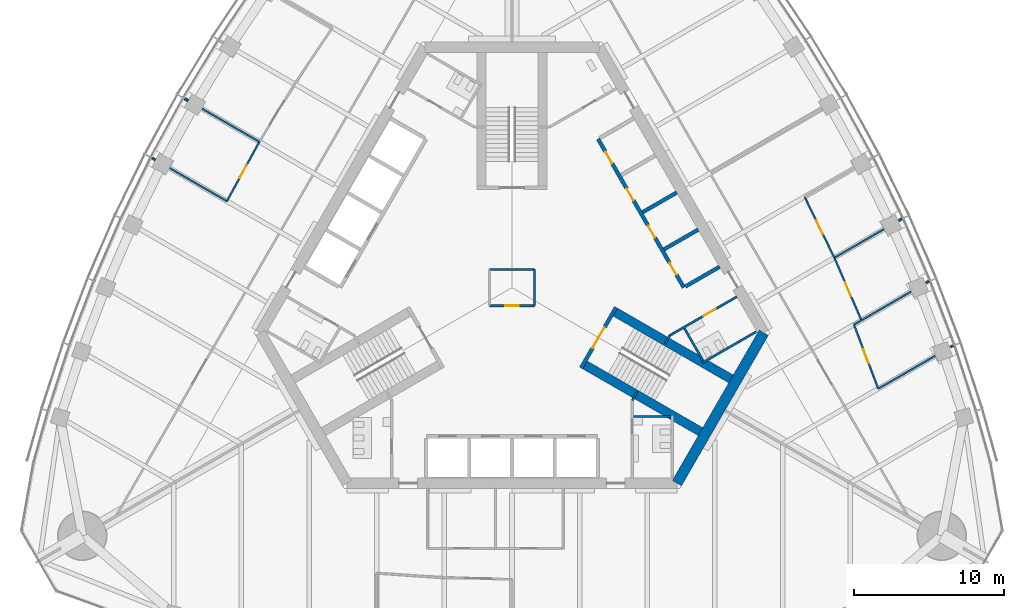
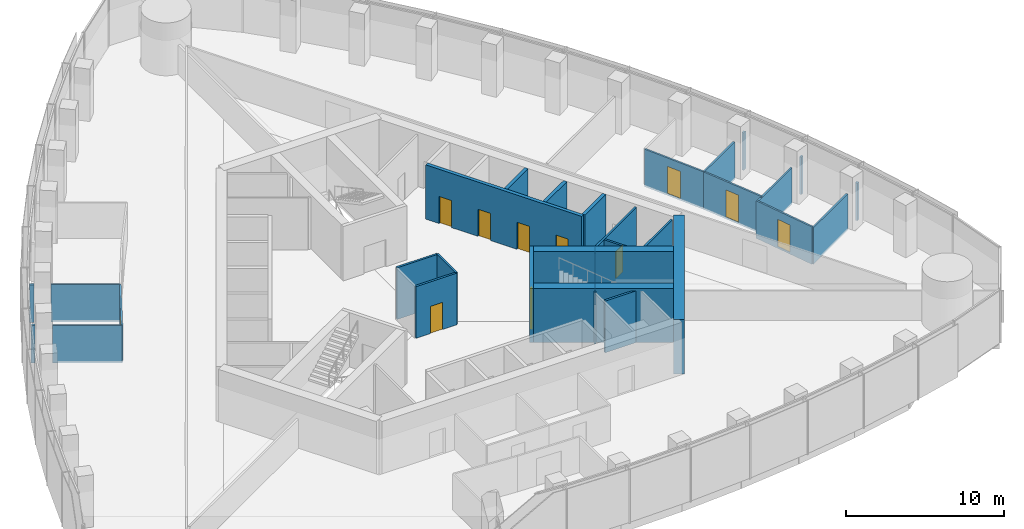
# One storey, part 12 of 19: 31 walls, 11 doors, 11 openings.
"""IFC4 building model written with IfcOpenShell, lengths in metres."""

import ifcopenshell
import ifcopenshell.guid

model = None  # the IFC model being written
_history = None  # IfcOwnerHistory: only IFC2X3 demands one
_inside = {}  # id of a spatial element -> (the spatial element, [elements in it])
_under = {}  # id of a project, library or spatial element -> (it, [spatial elements below it])
_declared = {}  # id of a project -> (the project, [libraries it declares])
_typed = {}  # id of a type object -> (the type object, [elements of that type])
_made_of = {}  # id of a material, layer set ... -> (it, [elements and type objects made of it])


def new_model(schema):
    """Start an empty IFC model of exactly this schema.

    Asked for "IFC4X3", IfcOpenShell would pick the latest addendum, in which some entities
    have other attributes; the version numbers below select the first issue.
    IFC2X3 requires an IfcOwnerHistory on every rooted entity: one is made here for all.
    """
    global model, _history
    if schema == "IFC4X3":
        model = ifcopenshell.file(schema_version=(4, 3, 0, 0))
    else:
        model = ifcopenshell.file(schema=schema)
    _inside.clear()
    _under.clear()
    _declared.clear()
    _typed.clear()
    _made_of.clear()
    _history = None
    if model.schema == "IFC2X3":
        org = make("IfcOrganization", Name="unknown")
        user = make(
            "IfcPersonAndOrganization",
            ThePerson=make("IfcPerson", FamilyName="unknown"),
            TheOrganization=org,
        )
        app = make(
            "IfcApplication",
            ApplicationDeveloper=org,
            Version="unknown",
            ApplicationFullName="unknown",
            ApplicationIdentifier="unknown",
        )
        _history = make(
            "IfcOwnerHistory",
            OwningUser=user,
            OwningApplication=app,
            ChangeAction="ADDED",
            CreationDate=0,
        )
    return model


def make(cls, **values):
    """One entity of the class cls with the attributes given. An attribute that is None is left unset."""
    return model.create_entity(
        cls, **{name: value for name, value in values.items() if value is not None}
    )


def rooted(cls, **values):
    """An entity with a GlobalId (a new one), such as an element, a storey or a relation."""
    return make(cls, GlobalId=ifcopenshell.guid.new(), OwnerHistory=_history, **values)


def si_unit(unit_type, name, prefix=None):
    """IfcSIUnit, for example si_unit("LENGTHUNIT", "METRE", prefix="MILLI")."""
    return make("IfcSIUnit", UnitType=unit_type, Prefix=prefix, Name=name)


def assignment(units):
    """IfcUnitAssignment: the units of a project."""
    return None if units is None else make("IfcUnitAssignment", Units=units)


def point(xyz):
    """IfcCartesianPoint."""
    return None if xyz is None else make("IfcCartesianPoint", Coordinates=xyz)


def direction(xyz):
    """IfcDirection."""
    return None if xyz is None else make("IfcDirection", DirectionRatios=xyz)


def frame(location, z_axis=None, x_axis=None):
    """IfcAxis2Placement3D, a coordinate frame: its origin and axes. An axis left out is left unset."""
    return make(
        "IfcAxis2Placement3D",
        Location=point(location),
        Axis=direction(z_axis),
        RefDirection=direction(x_axis),
    )


def frame_2d(location, x_axis=None):
    """IfcAxis2Placement2D, a coordinate frame in the plane: its origin and x axis."""
    return make(
        "IfcAxis2Placement2D", Location=point(location), RefDirection=direction(x_axis)
    )


def origin():
    """The frame at (0, 0, 0) with its axes left unset."""
    return frame((0.0, 0.0, 0.0))


def place(relative_to, where):
    """IfcLocalPlacement: puts the frame where relative to a parent placement (None: the world)."""
    return make(
        "IfcLocalPlacement", PlacementRelTo=relative_to, RelativePlacement=where
    )


def context(
    kind, dimensions, precision=None, world=None, true_north=None, identifier=None
):
    """IfcGeometricRepresentationContext, for example the 3D "Model" context."""
    return make(
        "IfcGeometricRepresentationContext",
        ContextIdentifier=identifier,
        ContextType=kind,
        CoordinateSpaceDimension=dimensions,
        Precision=precision,
        WorldCoordinateSystem=world,
        TrueNorth=true_north,
    )


def subcontext(parent, identifier, kind, view, scale=None):
    """IfcGeometricRepresentationSubContext, for example "Body" below "Model"."""
    return make(
        "IfcGeometricRepresentationSubContext",
        ContextIdentifier=identifier,
        ContextType=kind,
        ParentContext=parent,
        TargetScale=scale,
        TargetView=view,
    )


def project(units=None, contexts=None):
    """IfcProject with its units and contexts."""
    return rooted(
        "IfcProject",
        Name="project",
        RepresentationContexts=contexts,
        UnitsInContext=assignment(units),
    )


def spatial(cls, under=None, at=None, **own):
    """A site, building, storey or space (cls), placed at a placement, below another one or the project."""
    s = rooted(cls, ObjectPlacement=at, **own)
    if under is not None:
        _under.setdefault(under.id(), (under, []))[1].append(s)
    return s


def profile(cls, at=None, kind="AREA", **sizes):
    """A parametric profile (cls). Its sizes go by their IFC names, for example OverallWidth=200.0."""
    return make(cls, ProfileType=kind, Position=at, **sizes)


def rectangle(**sizes):
    """IfcRectangleProfileDef."""
    return profile("IfcRectangleProfileDef", **sizes)


def extrude(swept, where, along, depth):
    """IfcExtrudedAreaSolid: the profile swept, set in the frame where, extruded along a direction by depth."""
    return make(
        "IfcExtrudedAreaSolid",
        SweptArea=swept,
        Position=where,
        ExtrudedDirection=direction(along),
        Depth=depth,
    )


def shape(context_of_items, identifier, shape_type, items):
    """IfcShapeRepresentation: the items that make up one representation, for example the "Body"."""
    return make(
        "IfcShapeRepresentation",
        ContextOfItems=context_of_items,
        RepresentationIdentifier=identifier,
        RepresentationType=shape_type,
        Items=items,
    )


def material(Name=None, Category=None):
    """IfcMaterial."""
    return make("IfcMaterial", Name=Name, Category=Category)


def layer(
    of_material, thickness, ventilated=None, Name=None, Category=None, Priority=None
):
    """IfcMaterialLayer: one layer of a wall or slab, of a material (None: an air gap)."""
    return make(
        "IfcMaterialLayer",
        Material=of_material,
        LayerThickness=thickness,
        IsVentilated=ventilated,
        Name=Name,
        Category=Category,
        Priority=Priority,
    )


def layer_set(layers, Name=None):
    """IfcMaterialLayerSet."""
    return make("IfcMaterialLayerSet", MaterialLayers=layers, LayerSetName=Name)


def made_of(thing, what):
    """Note that an element or type object is made of a material, layer set ...; save() writes the relation."""
    if what is not None:
        _made_of.setdefault(what.id(), (what, []))[1].append(thing)
    return thing


def type_object(cls, material=None, **own):
    """A type object (cls), such as IfcWallType, which elements share."""
    return made_of(rooted(cls, **own), material)


def element(
    cls,
    number,
    at=None,
    inside=None,
    cuts=None,
    type_object=None,
    material=None,
    context=None,
    identifier="Body",
    shape_type=None,
    held_by="IfcProductDefinitionShape",
    body=None,
    shapes=None,
    **own,
):
    """One element of the class cls, such as IfcWall. Its Tag is "e" and its number.

    at: its placement. inside: the storey or other place that contains it. cuts: it is an
    opening in that element (IfcRelVoidsElement). A single representation is given by context,
    identifier, shape_type and body (its items); several are given by shapes. held_by: the class
    of the entity that holds the representations. save() writes the other relations.
    """
    e = rooted(cls, Tag="e%d" % number, ObjectPlacement=at, **own)
    if body is not None:
        shapes = [shape(context, identifier, shape_type, body)]
    if shapes is not None:
        e.Representation = make(held_by, Representations=shapes)
    if inside is not None:
        _inside.setdefault(inside.id(), (inside, []))[1].append(e)
    if cuts is not None:
        rooted(
            "IfcRelVoidsElement", RelatingBuildingElement=cuts, RelatedOpeningElement=e
        )
    if type_object is not None:
        _typed.setdefault(type_object.id(), (type_object, []))[1].append(e)
    return made_of(e, material)


def fill(opening, filler):
    """IfcRelFillsElement: the door or window that sits in an opening."""
    return rooted(
        "IfcRelFillsElement",
        RelatingOpeningElement=opening,
        RelatedBuildingElement=filler,
    )


def aggregate(whole, parts):
    """IfcRelAggregates: a whole, such as a stair, and the parts it consists of."""
    return rooted("IfcRelAggregates", RelatingObject=whole, RelatedObjects=parts)


def save(model, path):
    """Write the relations noted so far, then the file.

    IfcRelAggregates (storeys below a building ...), IfcRelContainedInSpatialStructure (elements
    in a storey), IfcRelDefinesByType, IfcRelAssociatesMaterial and IfcRelDeclares: one each for
    every whole, place, type object, material and project.
    """
    for whole, parts in _under.values():
        aggregate(whole, parts)
    for where, things in _inside.values():
        rooted(
            "IfcRelContainedInSpatialStructure",
            RelatedElements=things,
            RelatingStructure=where,
        )
    for kind, things in _typed.values():
        rooted("IfcRelDefinesByType", RelatedObjects=things, RelatingType=kind)
    for what, things in _made_of.values():
        rooted("IfcRelAssociatesMaterial", RelatedObjects=things, RelatingMaterial=what)
    for by, libraries in _declared.values():
        rooted("IfcRelDeclares", RelatingContext=by, RelatedDefinitions=libraries)
    model.write(path)


model = new_model("IFC4")

# Units and contexts
model_context = context("Model", 3, precision=1e-05, world=origin(), true_north=direction((0.0, 1.0)))
body_context = subcontext(model_context, "Body", "Model", "MODEL_VIEW")
ifc_project = project(units=[si_unit("LENGTHUNIT", "METRE"), si_unit("AREAUNIT", "SQUARE_METRE"), si_unit("VOLUMEUNIT", "CUBIC_METRE"), si_unit("PLANEANGLEUNIT", "RADIAN"), si_unit("MASSUNIT", "GRAM", prefix="KILO")], contexts=[model_context])

# Site, building, storey
site_placement = place(None, origin())
site = spatial("IfcSite", under=ifc_project, at=site_placement, CompositionType="ELEMENT")
building_placement = place(site_placement, origin())
building = spatial("IfcBuilding", under=site, at=building_placement, Name="Trefoil Bronze Tower", CompositionType="ELEMENT")
storey_placement = place(building_placement, frame((0.0, 0.0, 240.10009765625)))
storey = spatial("IfcBuildingStorey", under=building, at=storey_placement, Name="L55", CompositionType="ELEMENT", Elevation=240.10009765625)

# Wall
ifc_material_1 = material(Name="Concrete B80", Category="concrete")
ifc_layer_1 = layer(ifc_material_1, 0.699951171875)
ifc_layer_set_1 = layer_set([ifc_layer_1], Name="Core wall 700")
wall_type_1 = type_object("IfcWallType", Name="Core wall 700", PredefinedType="SHEAR", material=ifc_layer_set_1)
wall_1_placement = place(storey_placement, frame((10.9697265625, -13.0, 0.0), z_axis=(0.0, 0.0, 1.0), x_axis=(0.499995765644, 0.866027848477, 0.0)))
element("IfcWall", 1, at=wall_1_placement, inside=storey, type_object=wall_type_1, Name="Core short wall 1 L55", PredefinedType="SHEAR", context=body_context, shape_type="SweptSolid", body=[
    extrude(rectangle(XDim=11.546875, YDim=0.699951171875, at=frame_2d((5.7734375, 0.0))), origin(), (0.0, 0.0, 1.0), 4.199951171875),
])

# Wall, opening, door
ifc_material_2 = material(Name="Glazed partition", Category="glass")
ifc_layer_2 = layer(ifc_material_2, 0.1201171875)
ifc_layer_set_2 = layer_set([ifc_layer_2], Name="Glazed partition 120")
wall_type_2 = type_object("IfcWallType", Name="Glazed partition 120", PredefinedType="PARTITIONING", material=ifc_layer_set_2)
wall_2_placement = place(storey_placement, frame((23.239990234375, -2.1708984375, 0.0), z_axis=(0.0, 0.0, 1.0), x_axis=(-0.397188455592, 0.917737070595, 0.0)))
wall_2 = element("IfcWall", 2, at=wall_2_placement, inside=storey, type_object=wall_type_2, Name="Partition F2 L55", PredefinedType="PARTITIONING", context=body_context, shape_type="SweptSolid", body=[
    extrude(rectangle(XDim=4.530029296875, YDim=0.1201171875, at=frame_2d((2.26513671875, 0.0))), origin(), (0.0, 0.0, 1.0), 2.89990234375),
])
opening_1_placement = place(wall_2_placement, frame((1.75, 0.0, 0.14990234375)))
opening_1 = element("IfcOpeningElement", 3, at=opening_1_placement, cuts=wall_2, Name="Opening D9", PredefinedType="OPENING", context=body_context, shape_type="SweptSolid", body=[
    extrude(rectangle(XDim=1.0, YDim=2.10009765625, at=frame_2d((0.5, 1.050048828125))), frame((0.0, 0.070068359375, 0.0), z_axis=(0.0, -1.0, 0.0), x_axis=(1.0, 0.0, 0.0)), (0.0, 0.0, 1.0), 0.14013671875),
])
ifc_material_3 = material(Name="Glazed timber door", Category="wood")
door_type_1 = type_object("IfcDoorType", Name="Meeting room door 1000", OperationType="SINGLE_SWING_LEFT", PredefinedType="DOOR", material=ifc_material_3)
door_1_placement = place(opening_1_placement, frame((1.0, 0.0, 0.0), z_axis=(0.0, 0.0, 1.0), x_axis=(-1.0, 0.0, 0.0)))
door_1 = element("IfcDoor", 4, at=door_1_placement, inside=storey, type_object=door_type_1, Name="Project room door F2 L55", OperationType="SINGLE_SWING_RIGHT", OverallHeight=2.10009765625, OverallWidth=1.0, PredefinedType="DOOR", context=body_context, shape_type="SweptSolid", body=[
    extrude(rectangle(XDim=1.0, YDim=2.10009765625, at=frame_2d((0.5, 1.050048828125))), frame((0.0, 0.02490234375, 0.0), z_axis=(0.0, -1.0, 0.0), x_axis=(1.0, 0.0, 0.0)), (0.0, 0.0, 1.0), 0.050048828125),
])
fill(opening_1, door_1)

wall_3_placement = place(storey_placement, frame((24.357177734375, -6.721923828125, 0.0), z_axis=(0.0, 0.0, 1.0), x_axis=(-0.354219967303, 0.935162132875, 0.0)))
wall_3 = element("IfcWall", 5, at=wall_3_placement, inside=storey, type_object=wall_type_2, Name="Partition F2 L55", PredefinedType="PARTITIONING", context=body_context, shape_type="SweptSolid", body=[
    extrude(rectangle(XDim=4.559326171875, YDim=0.1201171875, at=frame_2d((2.27978515625, 0.0))), origin(), (0.0, 0.0, 1.0), 2.89990234375),
])
opening_2_placement = place(wall_3_placement, frame((1.800048828125, 0.0, 0.14990234375)))
opening_2 = element("IfcOpeningElement", 6, at=opening_2_placement, cuts=wall_3, Name="Opening D9", PredefinedType="OPENING", context=body_context, shape_type="SweptSolid", body=[
    extrude(rectangle(XDim=1.0, YDim=2.10009765625, at=frame_2d((0.5, 1.050048828125))), frame((0.0, 0.070068359375, 0.0), z_axis=(0.0, -1.0, 0.0), x_axis=(1.0, 0.0, 0.0)), (0.0, 0.0, 1.0), 0.14013671875),
])
door_2_placement = place(opening_2_placement, frame((1.0, 0.0, 0.0), z_axis=(0.0, 0.0, 1.0), x_axis=(-1.0, 0.0, 0.0)))
door_2 = element("IfcDoor", 7, at=door_2_placement, inside=storey, type_object=door_type_1, Name="Meeting room door F2 L55", OperationType="SINGLE_SWING_LEFT", OverallHeight=2.10009765625, OverallWidth=1.0, PredefinedType="DOOR", context=body_context, shape_type="SweptSolid", body=[
    extrude(rectangle(XDim=1.0, YDim=2.10009765625, at=frame_2d((0.5, 1.050048828125))), frame((0.0, 0.02490234375, 0.0), z_axis=(0.0, -1.0, 0.0), x_axis=(1.0, 0.0, 0.0)), (0.0, 0.0, 1.0), 0.050048828125),
])
fill(opening_2, door_2)

wall_4_placement = place(storey_placement, frame((21.440673828125, 1.986572265625, 0.0), z_axis=(0.0, 0.0, 1.0), x_axis=(-0.43911984878, 0.898428493764, 0.0)))
wall_4 = element("IfcWall", 8, at=wall_4_placement, inside=storey, type_object=wall_type_2, Name="Partition F2 L55", PredefinedType="PARTITIONING", context=body_context, shape_type="SweptSolid", body=[
    extrude(rectangle(XDim=4.5107421875, YDim=0.1201171875, at=frame_2d((2.25537109375, 0.0))), origin(), (0.0, 0.0, 1.0), 2.89990234375),
])
opening_3_placement = place(wall_4_placement, frame((1.75, 0.0, 0.14990234375)))
opening_3 = element("IfcOpeningElement", 9, at=opening_3_placement, cuts=wall_4, Name="Opening D9", PredefinedType="OPENING", context=body_context, shape_type="SweptSolid", body=[
    extrude(rectangle(XDim=1.0, YDim=2.10009765625, at=frame_2d((0.5, 1.050048828125))), frame((0.0, 0.070068359375, 0.0), z_axis=(0.0, -1.0, 0.0), x_axis=(1.0, 0.0, 0.0)), (0.0, 0.0, 1.0), 0.14013671875),
])
door_3_placement = place(opening_3_placement, frame((1.0, 0.0, 0.0), z_axis=(0.0, 0.0, 1.0), x_axis=(-1.0, 0.0, 0.0)))
door_3 = element("IfcDoor", 10, at=door_3_placement, inside=storey, type_object=door_type_1, Name="Project room door F2 L55", OperationType="SINGLE_SWING_RIGHT", OverallHeight=2.10009765625, OverallWidth=1.0, PredefinedType="DOOR", context=body_context, shape_type="SweptSolid", body=[
    extrude(rectangle(XDim=1.0, YDim=2.10009765625, at=frame_2d((0.5, 1.050048828125))), frame((0.0, 0.02490234375, 0.0), z_axis=(0.0, -1.0, 0.0), x_axis=(1.0, 0.0, 0.0)), (0.0, 0.0, 1.0), 0.050048828125),
])
fill(opening_3, door_3)

# Walls
wall_5_placement = place(storey_placement, frame((22.7421875, -2.458251953125, 0.0), z_axis=(0.0, 0.0, 1.0), x_axis=(0.866033427365, 0.499986102494, 0.0)))
element("IfcWall", 11, at=wall_5_placement, inside=storey, type_object=wall_type_2, Name="Partition F2 L55", PredefinedType="PARTITIONING", context=body_context, shape_type="SweptSolid", body=[
    extrude(rectangle(XDim=4.3818359375, YDim=0.1201171875, at=frame_2d((2.19091796875, 0.0))), origin(), (0.0, 0.0, 1.0), 2.7998046875),
])
wall_6_placement = place(storey_placement, frame((24.357177734375, -6.721923828125, 0.0), z_axis=(0.0, 0.0, 1.0), x_axis=(0.866024693403, 0.500001230415, 0.0)))
element("IfcWall", 12, at=wall_6_placement, inside=storey, type_object=wall_type_2, Name="Partition F2 L55", PredefinedType="PARTITIONING", context=body_context, shape_type="SweptSolid", body=[
    extrude(rectangle(XDim=4.37158203125, YDim=0.1201171875, at=frame_2d((2.185791015625, 0.0))), origin(), (0.0, 0.0, 1.0), 2.7998046875),
])
wall_7_placement = place(storey_placement, frame((21.440673828125, 1.986572265625, 0.0), z_axis=(0.0, 0.0, 1.0), x_axis=(0.866040623776, 0.499973637274, 0.0)))
element("IfcWall", 13, at=wall_7_placement, inside=storey, type_object=wall_type_2, Name="Partition F2 L55", PredefinedType="PARTITIONING", context=body_context, shape_type="SweptSolid", body=[
    extrude(rectangle(XDim=3.814208984375, YDim=0.1201171875, at=frame_2d((1.9072265625, 0.0))), origin(), (0.0, 0.0, 1.0), 2.89990234375),
])

# Wall, opening, door
wall_8_placement = place(storey_placement, frame((-16.801513671875, 9.700439453125, 0.0), z_axis=(0.0, 0.0, 1.0), x_axis=(-0.479949984371, -0.877295852322, 0.0)))
wall_8 = element("IfcWall", 14, at=wall_8_placement, inside=storey, type_object=wall_type_2, Name="Partition F3 L55", PredefinedType="PARTITIONING", context=body_context, shape_type="SweptSolid", body=[
    extrude(rectangle(XDim=4.501220703125, YDim=0.1201171875, at=frame_2d((2.25048828125, 0.0))), origin(), (0.0, 0.0, 1.0), 2.89990234375),
])
opening_4_placement = place(wall_8_placement, frame((1.75, 0.0, 0.14990234375)))
opening_4 = element("IfcOpeningElement", 15, at=opening_4_placement, cuts=wall_8, Name="Opening D9", PredefinedType="OPENING", context=body_context, shape_type="SweptSolid", body=[
    extrude(rectangle(XDim=1.0, YDim=2.10009765625, at=frame_2d((0.5, 1.050048828125))), frame((0.0, 0.070068359375, 0.0), z_axis=(0.0, -1.0, 0.0), x_axis=(1.0, 0.0, 0.0)), (0.0, 0.0, 1.0), 0.14013671875),
])
door_4_placement = place(opening_4_placement, frame((1.0, 0.0, 0.0), z_axis=(0.0, 0.0, 1.0), x_axis=(-1.0, 0.0, 0.0)))
door_4 = element("IfcDoor", 16, at=door_4_placement, inside=storey, type_object=door_type_1, Name="Meeting room door F3 L55", OperationType="SINGLE_SWING_RIGHT", OverallHeight=2.10009765625, OverallWidth=1.0, PredefinedType="DOOR", context=body_context, shape_type="SweptSolid", body=[
    extrude(rectangle(XDim=1.0, YDim=2.10009765625, at=frame_2d((0.5, 1.050048828125))), frame((0.0, 0.02490234375, 0.0), z_axis=(0.0, -1.0, 0.0), x_axis=(1.0, 0.0, 0.0)), (0.0, 0.0, 1.0), 0.050048828125),
])
fill(opening_4, door_4)

# Walls
wall_9_placement = place(storey_placement, frame((-16.801513671875, 9.700439453125, 0.0), z_axis=(0.0, 0.0, 1.0), x_axis=(-0.866046828231, 0.499962889934, 0.0)))
element("IfcWall", 17, at=wall_9_placement, inside=storey, type_object=wall_type_2, Name="Partition F3 L55", PredefinedType="PARTITIONING", context=body_context, shape_type="SweptSolid", body=[
    extrude(rectangle(XDim=4.394775390625, YDim=0.1201171875, at=frame_2d((2.197265625, 0.0))), origin(), (0.0, 0.0, 1.0), 2.89990234375),
])
wall_10_placement = place(storey_placement, frame((-18.9619140625, 5.75146484375, 0.0), z_axis=(0.0, 0.0, 1.0), x_axis=(-0.866025498715, 0.499999835575, 0.0)))
element("IfcWall", 18, at=wall_10_placement, inside=storey, type_object=wall_type_2, Name="Partition F3 L55", PredefinedType="PARTITIONING", context=body_context, shape_type="SweptSolid", body=[
    extrude(rectangle(XDim=4.3935546875, YDim=0.1201171875, at=frame_2d((2.19677734375, 0.0))), origin(), (0.0, 0.0, 1.0), 2.89990234375),
])

# Wall, opening, door
ifc_material_4 = material(Name="Gypsum board on steel studs", Category="steel")
ifc_layer_3 = layer(ifc_material_4, 0.14990234375)
ifc_layer_set_3 = layer_set([ifc_layer_3], Name="Partition 150")
wall_type_3 = type_object("IfcWallType", Name="Partition 150", PredefinedType="PARTITIONING", material=ifc_layer_set_3)
wall_11_placement = place(storey_placement, frame((10.4951171875, -3.17822265625, 0.0), z_axis=(0.0, 0.0, 1.0), x_axis=(0.866037967349, 0.499978238636, 0.0)))
wall_11 = element("IfcWall", 19, at=wall_11_placement, inside=storey, type_object=wall_type_3, Name="Passage wall F2- L55", PredefinedType="PARTITIONING", context=body_context, shape_type="SweptSolid", body=[
    extrude(rectangle(XDim=5.150146484375, YDim=0.14990234375, at=frame_2d((2.5751953125, 0.0))), origin(), (0.0, 0.0, 1.0), 4.0),
])
opening_5_placement = place(wall_11_placement, frame((2.60009765625, 0.0, 0.0)))
opening_5 = element("IfcOpeningElement", 20, at=opening_5_placement, cuts=wall_11, Name="Opening D3", PredefinedType="OPENING", context=body_context, shape_type="SweptSolid", body=[
    extrude(rectangle(XDim=0.89990234375, YDim=2.10009765625, at=frame_2d((0.449951171875, 1.050048828125))), frame((0.0, 0.0849609375, 0.0), z_axis=(0.0, -1.0, 0.0), x_axis=(1.0, 0.0, 0.0)), (0.0, 0.0, 1.0), 0.169921875),
])
ifc_material_5 = material(Name="Timber door", Category="wood")
door_type_2 = type_object("IfcDoorType", Name="WC door 900", OperationType="SINGLE_SWING_LEFT", PredefinedType="DOOR", material=ifc_material_5)
door_5_placement = place(opening_5_placement, frame((0.89990234375, 0.0, 0.0), z_axis=(0.0, 0.0, 1.0), x_axis=(-1.0, 0.0, 0.0)))
door_5 = element("IfcDoor", 21, at=door_5_placement, inside=storey, type_object=door_type_2, Name="WC (women) door L55", OperationType="SINGLE_SWING_RIGHT", OverallHeight=2.10009765625, OverallWidth=0.89990234375, PredefinedType="DOOR", context=body_context, shape_type="SweptSolid", body=[
    extrude(rectangle(XDim=0.89990234375, YDim=2.10009765625, at=frame_2d((0.449951171875, 1.050048828125))), frame((0.0, 0.02490234375, 0.0), z_axis=(0.0, -1.0, 0.0), x_axis=(1.0, 0.0, 0.0)), (0.0, 0.0, 1.0), 0.050048828125),
])
fill(opening_5, door_5)

# Walls
for number, where, z_axis, x_axis, name in (
    (22, (8.0, -7.5, 0.0), (0.0, 0.0, 1.0), (0.499842556608, 0.866116284689, 0.0), "WC wall ST1-1 L55"),
    (23, (10.4951171875, -3.17822265625, 0.0), (0.0, 0.0, 1.0), (-0.499842556608, -0.866116284689, 0.0), "WC wall ST1+1 L55"),
):
    element("IfcWall", number, at=place(storey_placement, frame(where, z_axis=z_axis, x_axis=x_axis)), inside=storey, type_object=wall_type_3, Name=name, PredefinedType="PARTITIONING", context=body_context, shape_type="SweptSolid", body=[
        extrude(rectangle(XDim=0.645263671875, YDim=0.14990234375, at=frame_2d((0.32275390625, 0.0))), origin(), (0.0, 0.0, 1.0), 4.0),
    ])
wall_12_placement = place(storey_placement, frame((8.074951171875, -8.574951171875, 0.0), z_axis=(0.0, 0.0, 1.0), x_axis=(1.0, 0.0, 0.0)))
element("IfcWall", 24, at=wall_12_placement, inside=storey, type_object=wall_type_3, Name="WC partition WC (men) L55", PredefinedType="PARTITIONING", context=body_context, shape_type="SweptSolid", body=[
    extrude(rectangle(XDim=2.510009765625, YDim=0.14990234375, at=frame_2d((1.2548828125, 0.0))), origin(), (0.0, 0.0, 1.0), 4.0),
])
wall_13_placement = place(storey_placement, frame((12.691162109375, -4.98193359375, 0.0), z_axis=(0.0, 0.0, 1.0), x_axis=(0.8660249478, 0.500000789788, 0.0)))
element("IfcWall", 25, at=wall_13_placement, inside=storey, type_object=wall_type_3, Name="WC partition WC (women) L55", PredefinedType="PARTITIONING", context=body_context, shape_type="SweptSolid", body=[
    extrude(rectangle(XDim=4.10009765625, YDim=0.14990234375, at=frame_2d((2.050048828125, 0.0))), origin(), (0.0, 0.0, 1.0), 4.0),
])
wall_14_placement = place(storey_placement, frame((11.463623046875, -2.70556640625, 0.0), z_axis=(0.0, 0.0, 1.0), x_axis=(0.50001992892, -0.866013897511, 0.0)))
element("IfcWall", 26, at=wall_14_placement, inside=storey, type_object=wall_type_3, Name="WC partition WC (women) L55", PredefinedType="PARTITIONING", context=body_context, shape_type="SweptSolid", body=[
    extrude(rectangle(XDim=2.51025390625, YDim=0.14990234375, at=frame_2d((1.255126953125, 0.0))), origin(), (0.0, 0.0, 1.0), 4.0),
])
wall_15_placement = place(storey_placement, frame((27.538818359375, 0.31103515625, 0.0), z_axis=(0.0, 0.0, 1.0), x_axis=(0.865534352121, 0.500849563539, 0.0)))
element("IfcWall", 27, at=wall_15_placement, inside=storey, type_object=wall_type_3, Name="Partition F2 L55", PredefinedType="PARTITIONING", context=body_context, shape_type="SweptSolid", body=[
    extrude(rectangle(XDim=0.206298828125, YDim=0.14990234375, at=frame_2d((0.10302734375, 0.0))), origin(), (0.0, 0.0, 1.0), 2.89990234375),
])
wall_16_placement = place(storey_placement, frame((29.166015625, -3.945556640625, 0.0), z_axis=(0.0, 0.0, 1.0), x_axis=(0.866439280089, 0.499282459054, 0.0)))
element("IfcWall", 28, at=wall_16_placement, inside=storey, type_object=wall_type_3, Name="Partition F2 L55", PredefinedType="PARTITIONING", context=body_context, shape_type="SweptSolid", body=[
    extrude(rectangle(XDim=0.192138671875, YDim=0.14990234375, at=frame_2d((0.09619140625, 0.0))), origin(), (0.0, 0.0, 1.0), 2.89990234375),
])
wall_17_placement = place(storey_placement, frame((25.724609375, 4.459716796875, 0.0), z_axis=(0.0, 0.0, 1.0), x_axis=(0.865675623716, 0.500605348058, 0.0)))
element("IfcWall", 29, at=wall_17_placement, inside=storey, type_object=wall_type_3, Name="Partition F2 L55", PredefinedType="PARTITIONING", context=body_context, shape_type="SweptSolid", body=[
    extrude(rectangle(XDim=0.223388671875, YDim=0.14990234375, at=frame_2d((0.11181640625, 0.0))), origin(), (0.0, 0.0, 1.0), 2.89990234375),
])
wall_18_placement = place(storey_placement, frame((-21.54638671875, 12.439697265625, 0.0), z_axis=(0.0, 0.0, 1.0), x_axis=(-0.866032814021, 0.499987164874, 0.0)))
element("IfcWall", 30, at=wall_18_placement, inside=storey, type_object=wall_type_3, Name="Partition F3 L55", PredefinedType="PARTITIONING", context=body_context, shape_type="SweptSolid", body=[
    extrude(rectangle(XDim=0.26611328125, YDim=0.14990234375, at=frame_2d((0.133056640625, 0.0))), origin(), (0.0, 0.0, 1.0), 2.89990234375),
])
wall_19_placement = place(storey_placement, frame((-23.7265625, 8.50244140625, 0.0), z_axis=(0.0, 0.0, 1.0), x_axis=(-0.866135455726, 0.499809335981, 0.0)))
element("IfcWall", 31, at=wall_19_placement, inside=storey, type_object=wall_type_3, Name="Partition F3 L55", PredefinedType="PARTITIONING", context=body_context, shape_type="SweptSolid", body=[
    extrude(rectangle(XDim=0.2431640625, YDim=0.14990234375, at=frame_2d((0.12158203125, 0.0))), origin(), (0.0, 0.0, 1.0), 2.89990234375),
])

# Wall, opening, door
ifc_material_6 = material(Name="Gypsum board on steel studs", Category="steel")
ifc_layer_4 = layer(ifc_material_6, 0.14990234375)
ifc_layer_set_4 = layer_set([ifc_layer_4], Name="Riser wall 150")
wall_type_4 = type_object("IfcWallType", Name="Riser wall 150", PredefinedType="PARTITIONING", material=ifc_layer_set_4)
wall_20_placement = place(storey_placement, frame((-1.5, -1.199951171875, 0.0), z_axis=(0.0, 0.0, 1.0), x_axis=(1.0, 0.0, 0.0)))
wall_20 = element("IfcWall", 32, at=wall_20_placement, inside=storey, type_object=wall_type_4, Name="Riser wall L55", PredefinedType="PARTITIONING", context=body_context, shape_type="SweptSolid", body=[
    extrude(rectangle(XDim=3.0, YDim=0.14990234375, at=frame_2d((1.5, 0.0))), origin(), (0.0, 0.0, 1.0), 4.0),
])
opening_6_placement = place(wall_20_placement, frame((1.050048828125, 0.0, 0.0)))
opening_6 = element("IfcOpeningElement", 33, at=opening_6_placement, cuts=wall_20, Name="Opening D4", PredefinedType="OPENING", context=body_context, shape_type="SweptSolid", body=[
    extrude(rectangle(XDim=0.89990234375, YDim=2.10009765625, at=frame_2d((0.449951171875, 1.050048828125))), frame((0.0, 0.0849609375, 0.0), z_axis=(0.0, -1.0, 0.0), x_axis=(1.0, 0.0, 0.0)), (0.0, 0.0, 1.0), 0.169921875),
])
ifc_material_7 = material(Name="Steel door", Category="steel")
door_type_3 = type_object("IfcDoorType", Name="Riser door 900", OperationType="SINGLE_SWING_LEFT", PredefinedType="DOOR", material=ifc_material_7)
door_6_placement = place(opening_6_placement, frame((0.89990234375, 0.0, 0.0), z_axis=(0.0, 0.0, 1.0), x_axis=(-1.0, 0.0, 0.0)))
door_6 = element("IfcDoor", 34, at=door_6_placement, inside=storey, type_object=door_type_3, Name="Riser door L55", OperationType="SINGLE_SWING_LEFT", OverallHeight=2.10009765625, OverallWidth=0.89990234375, PredefinedType="DOOR", context=body_context, shape_type="SweptSolid", body=[
    extrude(rectangle(XDim=0.89990234375, YDim=2.10009765625, at=frame_2d((0.449951171875, 1.050048828125))), frame((0.0, 0.02490234375, 0.0), z_axis=(0.0, -1.0, 0.0), x_axis=(1.0, 0.0, 0.0)), (0.0, 0.0, 1.0), 0.050048828125),
])
fill(opening_6, door_6)

# Walls
wall_21_placement = place(storey_placement, frame((1.5, -1.199951171875, 0.0), z_axis=(0.0, 0.0, 1.0), x_axis=(0.0, 1.0, 0.0)))
element("IfcWall", 35, at=wall_21_placement, inside=storey, type_object=wall_type_4, Name="Riser wall L55", PredefinedType="PARTITIONING", context=body_context, shape_type="SweptSolid", body=[
    extrude(rectangle(XDim=2.39990234375, YDim=0.14990234375, at=frame_2d((1.199951171875, 0.0))), origin(), (0.0, 0.0, 1.0), 4.0),
])
wall_22_placement = place(storey_placement, frame((1.5, 1.199951171875, 0.0), z_axis=(0.0, 0.0, 1.0), x_axis=(-1.0, 0.0, 0.0)))
element("IfcWall", 36, at=wall_22_placement, inside=storey, type_object=wall_type_4, Name="Riser wall L55", PredefinedType="PARTITIONING", context=body_context, shape_type="SweptSolid", body=[
    extrude(rectangle(XDim=3.0, YDim=0.14990234375, at=frame_2d((1.5, 0.0))), origin(), (0.0, 0.0, 1.0), 4.0),
])

# Wall, openings, doors
ifc_material_8 = material(Name="Concrete B80", Category="concrete")
ifc_layer_5 = layer(ifc_material_8, 0.25)
ifc_layer_set_5 = layer_set([ifc_layer_5], Name="Shaft wall 250")
wall_type_5 = type_object("IfcWallType", Name="Shaft wall 250", PredefinedType="SHEAR", material=ifc_layer_set_5)
wall_23_placement = place(storey_placement, frame((11.423583984375, 0.013671875, 0.0), z_axis=(0.0, 0.0, 1.0), x_axis=(-0.500001763848, 0.866024385424, 0.0)))
wall_23 = element("IfcWall", 37, at=wall_23_placement, inside=storey, type_object=wall_type_5, Name="Lift shaft front wall B L55", PredefinedType="SHEAR", context=body_context, shape_type="SweptSolid", body=[
    extrude(rectangle(XDim=11.39990234375, YDim=0.25, at=frame_2d((5.699951171875, 0.0))), origin(), (0.0, 0.0, 1.0), 4.199951171875),
])
opening_7_placement = place(wall_23_placement, frame((0.97509765625, 0.0, 0.0)))
opening_7 = element("IfcOpeningElement", 38, at=opening_7_placement, cuts=wall_23, Name="Opening D12", PredefinedType="OPENING", context=body_context, shape_type="SweptSolid", body=[
    extrude(rectangle(XDim=0.89990234375, YDim=2.10009765625, at=frame_2d((0.449951171875, 1.050048828125))), frame((0.0, 0.135009765625, 0.0), z_axis=(0.0, -1.0, 0.0), x_axis=(1.0, 0.0, 0.0)), (0.0, 0.0, 1.0), 0.27001953125),
])
opening_8_placement = place(wall_23_placement, frame((3.824951171875, 0.0, 0.0)))
opening_8 = element("IfcOpeningElement", 39, at=opening_8_placement, cuts=wall_23, Name="Opening D12", PredefinedType="OPENING", context=body_context, shape_type="SweptSolid", body=[
    extrude(rectangle(XDim=0.89990234375, YDim=2.10009765625, at=frame_2d((0.449951171875, 1.050048828125))), frame((0.0, 0.135009765625, 0.0), z_axis=(0.0, -1.0, 0.0), x_axis=(1.0, 0.0, 0.0)), (0.0, 0.0, 1.0), 0.27001953125),
])
opening_9_placement = place(wall_23_placement, frame((6.675048828125, 0.0, 0.0)))
opening_9 = element("IfcOpeningElement", 40, at=opening_9_placement, cuts=wall_23, Name="Opening D12", PredefinedType="OPENING", context=body_context, shape_type="SweptSolid", body=[
    extrude(rectangle(XDim=0.89990234375, YDim=2.10009765625, at=frame_2d((0.449951171875, 1.050048828125))), frame((0.0, 0.135009765625, 0.0), z_axis=(0.0, -1.0, 0.0), x_axis=(1.0, 0.0, 0.0)), (0.0, 0.0, 1.0), 0.27001953125),
])
opening_10_placement = place(wall_23_placement, frame((9.52490234375, 0.0, 0.0)))
opening_10 = element("IfcOpeningElement", 41, at=opening_10_placement, cuts=wall_23, Name="Opening D12", PredefinedType="OPENING", context=body_context, shape_type="SweptSolid", body=[
    extrude(rectangle(XDim=0.89990234375, YDim=2.10009765625, at=frame_2d((0.449951171875, 1.050048828125))), frame((0.0, 0.135009765625, 0.0), z_axis=(0.0, -1.0, 0.0), x_axis=(1.0, 0.0, 0.0)), (0.0, 0.0, 1.0), 0.27001953125),
])
ifc_material_9 = material(Name="Steel door", Category="steel")
door_type_4 = type_object("IfcDoorType", Name="Shaft room door 900", OperationType="SINGLE_SWING_LEFT", PredefinedType="DOOR", material=ifc_material_9)
door_7_placement = place(opening_7_placement, frame((0.89990234375, 0.0, 0.0), z_axis=(0.0, 0.0, 1.0), x_axis=(-1.0, 0.0, 0.0)))
door_7 = element("IfcDoor", 42, at=door_7_placement, inside=storey, type_object=door_type_4, Name="Shaft room door B1 L55", OperationType="SINGLE_SWING_LEFT", OverallHeight=2.10009765625, OverallWidth=0.89990234375, PredefinedType="DOOR", context=body_context, shape_type="SweptSolid", body=[
    extrude(rectangle(XDim=0.89990234375, YDim=2.10009765625, at=frame_2d((0.449951171875, 1.050048828125))), frame((0.0, 0.02490234375, 0.0), z_axis=(0.0, -1.0, 0.0), x_axis=(1.0, 0.0, 0.0)), (0.0, 0.0, 1.0), 0.050048828125),
])
fill(opening_7, door_7)
door_8_placement = place(opening_8_placement, frame((0.89990234375, 0.0, 0.0), z_axis=(0.0, 0.0, 1.0), x_axis=(-1.0, 0.0, 0.0)))
door_8 = element("IfcDoor", 43, at=door_8_placement, inside=storey, type_object=door_type_4, Name="Shaft room door B2 L55", OperationType="SINGLE_SWING_RIGHT", OverallHeight=2.10009765625, OverallWidth=0.89990234375, PredefinedType="DOOR", context=body_context, shape_type="SweptSolid", body=[
    extrude(rectangle(XDim=0.89990234375, YDim=2.10009765625, at=frame_2d((0.449951171875, 1.050048828125))), frame((0.0, 0.02490234375, 0.0), z_axis=(0.0, -1.0, 0.0), x_axis=(1.0, 0.0, 0.0)), (0.0, 0.0, 1.0), 0.050048828125),
])
fill(opening_8, door_8)
door_9_placement = place(opening_9_placement, frame((0.89990234375, 0.0, 0.0), z_axis=(0.0, 0.0, 1.0), x_axis=(-1.0, 0.0, 0.0)))
door_9 = element("IfcDoor", 44, at=door_9_placement, inside=storey, type_object=door_type_4, Name="Shaft room door B3 L55", OperationType="SINGLE_SWING_RIGHT", OverallHeight=2.10009765625, OverallWidth=0.89990234375, PredefinedType="DOOR", context=body_context, shape_type="SweptSolid", body=[
    extrude(rectangle(XDim=0.89990234375, YDim=2.10009765625, at=frame_2d((0.449951171875, 1.050048828125))), frame((0.0, 0.02490234375, 0.0), z_axis=(0.0, -1.0, 0.0), x_axis=(1.0, 0.0, 0.0)), (0.0, 0.0, 1.0), 0.050048828125),
])
fill(opening_9, door_9)
door_10_placement = place(opening_10_placement, frame((0.89990234375, 0.0, 0.0), z_axis=(0.0, 0.0, 1.0), x_axis=(-1.0, 0.0, 0.0)))
door_10 = element("IfcDoor", 45, at=door_10_placement, inside=storey, type_object=door_type_4, Name="Shaft room door B4 L55", OperationType="SINGLE_SWING_RIGHT", OverallHeight=2.10009765625, OverallWidth=0.89990234375, PredefinedType="DOOR", context=body_context, shape_type="SweptSolid", body=[
    extrude(rectangle(XDim=0.89990234375, YDim=2.10009765625, at=frame_2d((0.449951171875, 1.050048828125))), frame((0.0, 0.02490234375, 0.0), z_axis=(0.0, -1.0, 0.0), x_axis=(1.0, 0.0, 0.0)), (0.0, 0.0, 1.0), 0.050048828125),
])
fill(opening_10, door_10)

# Walls
for number, where, z_axis, x_axis, name in (
    (46, (11.531982421875, 0.076171875, 0.0), (0.0, 0.0, 1.0), (0.866013657776, 0.500020344131, 0.0), "Lift shaft side wall B0 L55"),
    (47, (10.10693359375, 2.54443359375, 0.0), (0.0, 0.0, 1.0), (0.866013657776, 0.500020344131, 0.0), "Lift shaft side wall B1 L55"),
    (48, (8.681884765625, 5.012451171875, 0.0), (0.0, 0.0, 1.0), (0.866036909293, 0.499980071345, 0.0), "Lift shaft side wall B2 L55"),
):
    element("IfcWall", number, at=place(storey_placement, frame(where, z_axis=z_axis, x_axis=x_axis)), inside=storey, type_object=wall_type_5, Name=name, PredefinedType="SHEAR", context=body_context, shape_type="SweptSolid", body=[
        extrude(rectangle(XDim=2.625, YDim=0.25, at=frame_2d((1.3125, 0.0))), origin(), (0.0, 0.0, 1.0), 4.199951171875),
    ])

# Wall, opening, door
wall_24_placement = place(storey_placement, frame((4.5966796875, -5.338623046875, 0.0), z_axis=(0.0, 0.0, 1.0), x_axis=(0.499984536904, 0.866034331223, 0.0)))
wall_24 = element("IfcWall", 49, at=wall_24_placement, inside=storey, type_object=wall_type_5, Name="Stair end wall ST1 L55", PredefinedType="SHEAR", context=body_context, shape_type="SweptSolid", body=[
    extrude(rectangle(XDim=4.650146484375, YDim=0.25, at=frame_2d((2.3251953125, 0.0))), origin(), (0.0, 0.0, 1.0), 4.199951171875),
])
opening_11_placement = place(wall_24_placement, frame((1.52490234375, 0.0, 0.0)))
opening_11 = element("IfcOpeningElement", 50, at=opening_11_placement, cuts=wall_24, Name="Opening D1", PredefinedType="OPENING", context=body_context, shape_type="SweptSolid", body=[
    extrude(rectangle(XDim=1.60009765625, YDim=2.10009765625, at=frame_2d((0.800048828125, 1.050048828125))), frame((0.0, 0.135009765625, 0.0), z_axis=(0.0, -1.0, 0.0), x_axis=(1.0, 0.0, 0.0)), (0.0, 0.0, 1.0), 0.27001953125),
])
ifc_material_10 = material(Name="Steel door", Category="steel")
door_type_5 = type_object("IfcDoorType", Name="Stair door 1600", OperationType="DOUBLE_DOOR_SINGLE_SWING", PredefinedType="DOOR", material=ifc_material_10)
door_11_placement = place(opening_11_placement, frame((1.60009765625, 0.0, 0.0), z_axis=(0.0, 0.0, 1.0), x_axis=(-1.0, 0.0, 0.0)))
door_11 = element("IfcDoor", 51, at=door_11_placement, inside=storey, type_object=door_type_5, Name="Stair door ST1 L55", OperationType="DOUBLE_DOOR_SINGLE_SWING", OverallHeight=2.10009765625, OverallWidth=1.60009765625, PredefinedType="DOOR", context=body_context, shape_type="SweptSolid", body=[
    extrude(rectangle(XDim=1.60009765625, YDim=2.10009765625, at=frame_2d((0.800048828125, 1.050048828125))), frame((0.0, 0.02490234375, 0.0), z_axis=(0.0, -1.0, 0.0), x_axis=(1.0, 0.0, 0.0)), (0.0, 0.0, 1.0), 0.050048828125),
])
fill(opening_11, door_11)

# Walls
ifc_material_11 = material(Name="Concrete B80", Category="concrete")
ifc_layer_6 = layer(ifc_material_11, 0.60009765625)
ifc_layer_set_6 = layer_set([ifc_layer_6], Name="Stair wall 600")
wall_type_6 = type_object("IfcWallType", Name="Stair wall 600", PredefinedType="SHEAR", material=ifc_layer_set_6)
for number, where, z_axis, x_axis, name in (
    (52, (4.638427734375, -5.01611328125, 0.0), (0.0, 0.0, 1.0), (0.866021621257, -0.500006551472, 0.0), "Stair wall ST1 L55"),
    (53, (6.663330078125, -1.5087890625, 0.0), (0.0, 0.0, 1.0), (0.866028310072, -0.499994966129, 0.0), "Stair wall ST1 L55"),
):
    element("IfcWall", number, at=place(storey_placement, frame(where, z_axis=z_axis, x_axis=x_axis)), inside=storey, type_object=wall_type_6, Name=name, PredefinedType="SHEAR", context=body_context, shape_type="SweptSolid", body=[
        extrude(rectangle(XDim=9.125, YDim=0.60009765625, at=frame_2d((4.5625, 0.0))), origin(), (0.0, 0.0, 1.0), 4.199951171875),
    ])

save(model, "model.ifc")
